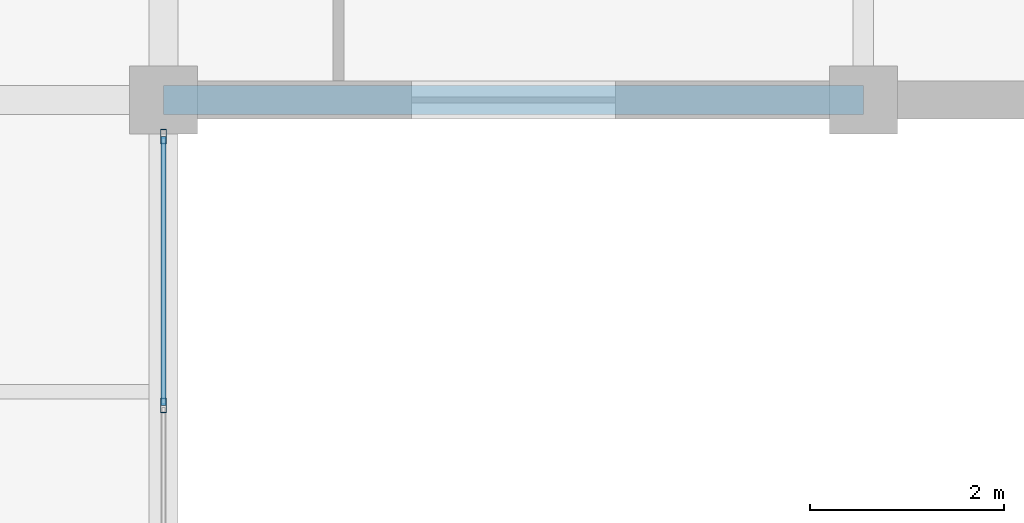
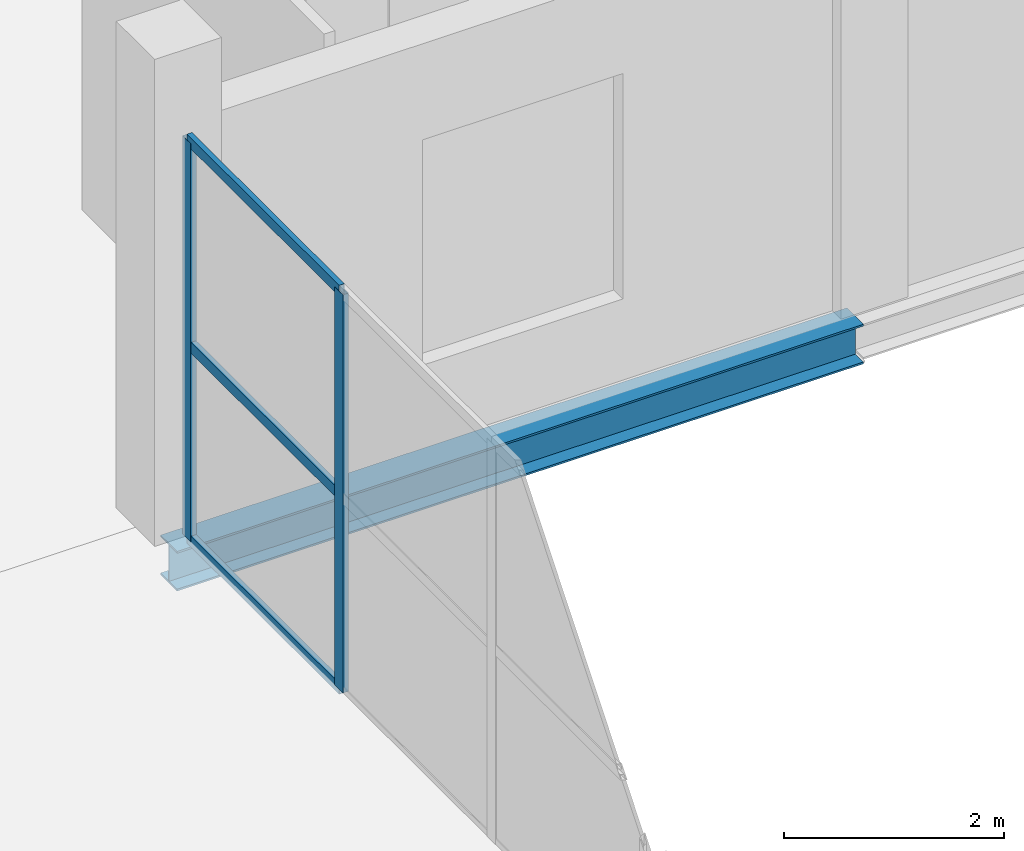
# One storey, part 99 of 147: 5 members, 1 beam, 1 element without a shape of its own.
"""IFC4 building model written with IfcOpenShell, lengths in metres."""

from ifc_helpers import new_model, si_unit, direction, frame, origin, origin_2d, place, context, subcontext, project, spatial, hollow_rectangle, i_section, extrude, material, layer, layer_set, material_profile, profile_set, type_object, element, aggregate, save


model = new_model("IFC4")

# Units and contexts
model_context = context("Model", 3, precision=1e-05, world=origin(), true_north=direction((0.0, 1.0)))
body_context = subcontext(model_context, "Body", "Model", "MODEL_VIEW")
ifc_project = project(units=[si_unit("LENGTHUNIT", "METRE"), si_unit("AREAUNIT", "SQUARE_METRE"), si_unit("VOLUMEUNIT", "CUBIC_METRE"), si_unit("PLANEANGLEUNIT", "RADIAN"), si_unit("MASSUNIT", "GRAM", prefix="KILO")], contexts=[model_context])

# Site, building, storey
site_placement = place(None, origin())
site = spatial("IfcSite", under=ifc_project, at=site_placement, CompositionType="ELEMENT")
building_placement = place(site_placement, origin())
building = spatial("IfcBuilding", under=site, at=building_placement, Name="Sundgate Opera House", CompositionType="ELEMENT")
storey_placement = place(building_placement, frame((0.0, 0.0, 6.0)))
storey = spatial("IfcBuildingStorey", under=building, at=storey_placement, Name="L01", CompositionType="ELEMENT", Elevation=6.0)

# Beam
ifc_material_1 = material(Name="Steel S355J2", Category="steel")
ifc_material_profile_1 = material_profile(ifc_material_1, i_section(OverallWidth=0.300048828125, OverallDepth=0.43994140625, WebThickness=0.011474609375, FlangeThickness=0.02099609375, at=origin_2d()), Name="HEA 450")
ifc_profile_set_1 = profile_set([ifc_material_profile_1], Name="Steel S355J2")
beam_type = type_object("IfcBeamType", Name="BM-GR-HEA450", PredefinedType="BEAM", material=ifc_profile_set_1)
beam_placement = place(storey_placement, frame((145.800048828125, 69.0, -0.52001953125), z_axis=(1.0, 0.0, 0.0), x_axis=(0.0, 1.0, 0.0)))
element("IfcBeam", 1, at=beam_placement, inside=storey, type_object=beam_type, Name="L01 Primary E-W Girder B1368", PredefinedType="BEAM", context=body_context, shape_type="SweptSolid", body=[
    extrude(i_section(OverallWidth=0.300048828125, OverallDepth=0.43994140625, WebThickness=0.011474609375, FlangeThickness=0.02099609375, at=origin_2d()), origin(), (0.0, 0.0, 1.0), 7.199951171875),
])

# Curtain wall, members
ifc_material_2 = material(Name="Anodized aluminium and low-iron glass", Category="aluminium")
ifc_layer = layer(ifc_material_2, 0.159912109375)
ifc_layer_set = layer_set([ifc_layer], Name="Anodized aluminium and low-iron glass")
curtain_wall_type = type_object("IfcCurtainWallType", Name="CW-STUDIO-DARK", PredefinedType="NOTDEFINED", material=ifc_layer_set)
curtain_wall_placement = place(storey_placement, origin())
curtain_wall = element("IfcCurtainWall", 2, at=curtain_wall_placement, inside=storey, type_object=curtain_wall_type, Name="L01 Curtain Wall CW051", PredefinedType="NOTDEFINED")
ifc_material_3 = material(Name="Anodized aluminium EN AW-6063", Category="aluminium")
ifc_material_profile_2 = material_profile(ifc_material_3, hollow_rectangle(XDim=0.06005859375, YDim=0.14990234375, WallThickness=0.00390625, at=origin_2d()), Name="CWM 150x60x4")
ifc_profile_set_2 = profile_set([ifc_material_profile_2], Name="Anodized aluminium EN AW-6063")
member_type_1 = type_object("IfcMemberType", Name="CWM-ALU-150x60", PredefinedType="MULLION", material=ifc_profile_set_2)
member_1_placement = place(storey_placement, frame((145.800048828125, 65.8583984375, 0.0), z_axis=(0.0, 0.0, 1.0), x_axis=(1.0, 0.0, 0.0)))
member_1 = element("IfcMember", 3, at=member_1_placement, type_object=member_type_1, Name="CW051 Mullion 3", PredefinedType="MULLION", context=body_context, shape_type="SweptSolid", body=[
    extrude(hollow_rectangle(XDim=0.06005859375, YDim=0.14990234375, WallThickness=0.00390625, at=origin_2d()), origin(), (0.0, 0.0, 1.0), 4.4150390625),
])
member_2_placement = place(storey_placement, frame((145.800048828125, 68.625, 0.0), z_axis=(0.0, 0.0, 1.0), x_axis=(1.0, 0.0, 0.0)))
member_2 = element("IfcMember", 4, at=member_2_placement, type_object=member_type_1, Name="CW051 Mullion 4", PredefinedType="MULLION", context=body_context, shape_type="SweptSolid", body=[
    extrude(hollow_rectangle(XDim=0.06005859375, YDim=0.14990234375, WallThickness=0.00390625, at=origin_2d()), origin(), (0.0, 0.0, 1.0), 4.4150390625),
])
ifc_material_4 = material(Name="Anodized aluminium EN AW-6063", Category="aluminium")
ifc_material_profile_3 = material_profile(ifc_material_4, hollow_rectangle(XDim=0.054931640625, YDim=0.1201171875, WallThickness=0.00390625, at=origin_2d()), Name="CWT 120x55x4")
ifc_profile_set_3 = profile_set([ifc_material_profile_3], Name="Anodized aluminium EN AW-6063")
member_type_2 = type_object("IfcMemberType", Name="CWT-ALU-120x55", PredefinedType="USERDEFINED", material=ifc_profile_set_3)
member_3_placement = place(storey_placement, frame((145.800048828125, 65.8583984375, 0.0), z_axis=(0.0, 1.0, 0.0), x_axis=(-1.0, 0.0, 0.0)))
member_3 = element("IfcMember", 5, at=member_3_placement, type_object=member_type_2, Name="CW051 Transom 7", ObjectType="TRANSOM", PredefinedType="USERDEFINED", context=body_context, shape_type="SweptSolid", body=[
    extrude(hollow_rectangle(XDim=0.054931640625, YDim=0.1201171875, WallThickness=0.00390625, at=origin_2d()), origin(), (0.0, 0.0, 1.0), 2.7666015625),
])
member_4_placement = place(storey_placement, frame((145.800048828125, 65.8583984375, 2.14990234375), z_axis=(0.0, 1.0, 0.0), x_axis=(-1.0, 0.0, 0.0)))
member_4 = element("IfcMember", 6, at=member_4_placement, type_object=member_type_2, Name="CW051 Transom 8", ObjectType="TRANSOM", PredefinedType="USERDEFINED", context=body_context, shape_type="SweptSolid", body=[
    extrude(hollow_rectangle(XDim=0.054931640625, YDim=0.1201171875, WallThickness=0.00390625, at=origin_2d()), origin(), (0.0, 0.0, 1.0), 2.7666015625),
])
member_5_placement = place(storey_placement, frame((145.800048828125, 65.8583984375, 4.4150390625), z_axis=(0.0, 1.0, 0.0), x_axis=(-1.0, 0.0, 0.0)))
member_5 = element("IfcMember", 7, at=member_5_placement, type_object=member_type_2, Name="CW051 Transom 9", ObjectType="TRANSOM", PredefinedType="USERDEFINED", context=body_context, shape_type="SweptSolid", body=[
    extrude(hollow_rectangle(XDim=0.054931640625, YDim=0.1201171875, WallThickness=0.00390625, at=origin_2d()), origin(), (0.0, 0.0, 1.0), 2.7666015625),
])
aggregate(curtain_wall, [member_1, member_2, member_3, member_4, member_5])

save(model, "model.ifc")
